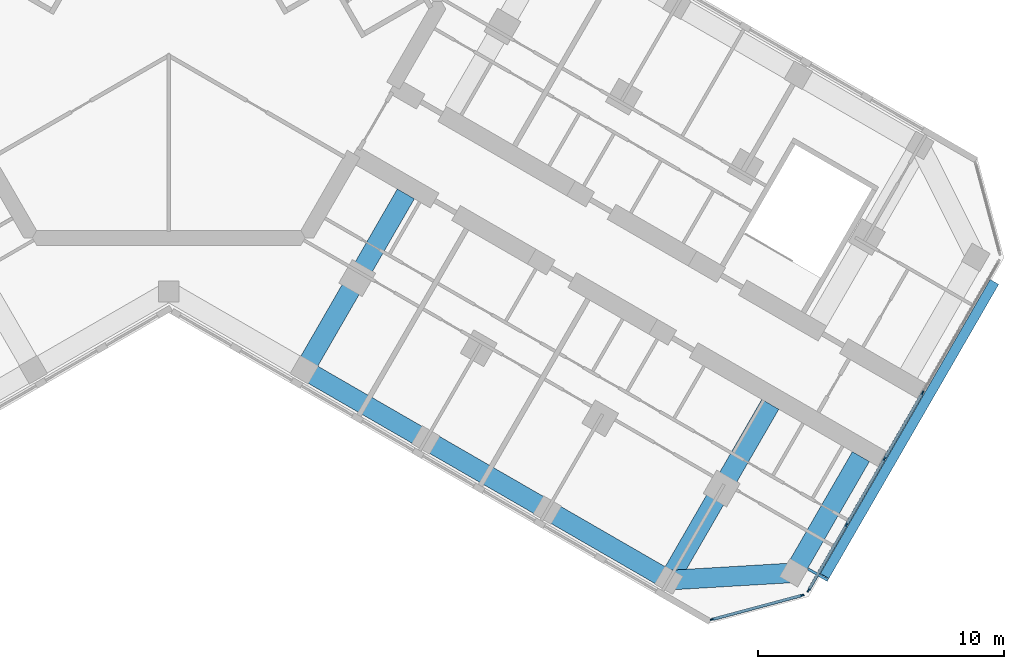
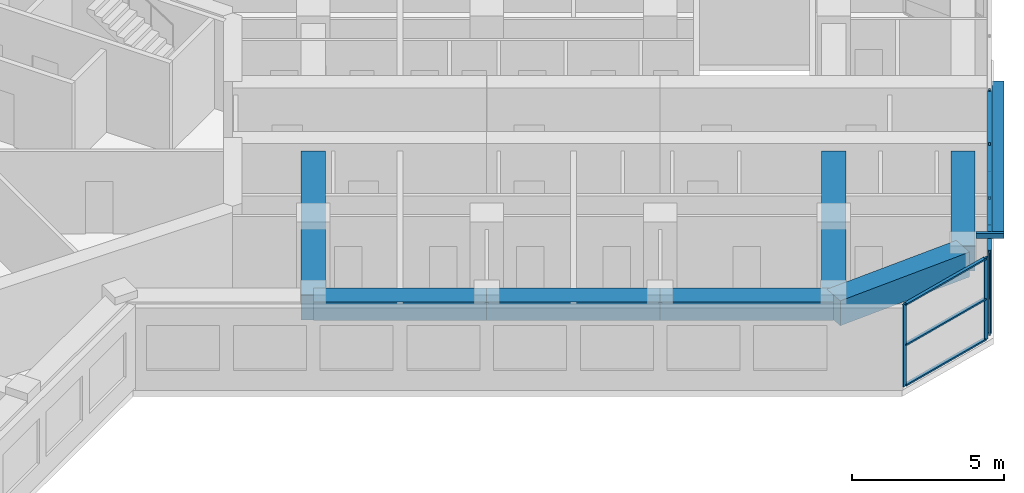
# One storey, part 4 of 16: 17 members, 7 beams, 2 elements without a shape of their own.
"""IFC4 building model written with IfcOpenShell, lengths in metres."""

import ifcopenshell
import ifcopenshell.guid

model = None  # the IFC model being written
_history = None  # IfcOwnerHistory: only IFC2X3 demands one
_inside = {}  # id of a spatial element -> (the spatial element, [elements in it])
_under = {}  # id of a project, library or spatial element -> (it, [spatial elements below it])
_declared = {}  # id of a project -> (the project, [libraries it declares])
_typed = {}  # id of a type object -> (the type object, [elements of that type])
_made_of = {}  # id of a material, layer set ... -> (it, [elements and type objects made of it])


def new_model(schema):
    """Start an empty IFC model of exactly this schema.

    Asked for "IFC4X3", IfcOpenShell would pick the latest addendum, in which some entities
    have other attributes; the version numbers below select the first issue.
    IFC2X3 requires an IfcOwnerHistory on every rooted entity: one is made here for all.
    """
    global model, _history
    if schema == "IFC4X3":
        model = ifcopenshell.file(schema_version=(4, 3, 0, 0))
    else:
        model = ifcopenshell.file(schema=schema)
    _inside.clear()
    _under.clear()
    _declared.clear()
    _typed.clear()
    _made_of.clear()
    _history = None
    if model.schema == "IFC2X3":
        org = make("IfcOrganization", Name="unknown")
        user = make(
            "IfcPersonAndOrganization",
            ThePerson=make("IfcPerson", FamilyName="unknown"),
            TheOrganization=org,
        )
        app = make(
            "IfcApplication",
            ApplicationDeveloper=org,
            Version="unknown",
            ApplicationFullName="unknown",
            ApplicationIdentifier="unknown",
        )
        _history = make(
            "IfcOwnerHistory",
            OwningUser=user,
            OwningApplication=app,
            ChangeAction="ADDED",
            CreationDate=0,
        )
    return model


def make(cls, **values):
    """One entity of the class cls with the attributes given. An attribute that is None is left unset."""
    return model.create_entity(
        cls, **{name: value for name, value in values.items() if value is not None}
    )


def rooted(cls, **values):
    """An entity with a GlobalId (a new one), such as an element, a storey or a relation."""
    return make(cls, GlobalId=ifcopenshell.guid.new(), OwnerHistory=_history, **values)


def si_unit(unit_type, name, prefix=None):
    """IfcSIUnit, for example si_unit("LENGTHUNIT", "METRE", prefix="MILLI")."""
    return make("IfcSIUnit", UnitType=unit_type, Prefix=prefix, Name=name)


def assignment(units):
    """IfcUnitAssignment: the units of a project."""
    return None if units is None else make("IfcUnitAssignment", Units=units)


def point(xyz):
    """IfcCartesianPoint."""
    return None if xyz is None else make("IfcCartesianPoint", Coordinates=xyz)


def direction(xyz):
    """IfcDirection."""
    return None if xyz is None else make("IfcDirection", DirectionRatios=xyz)


def frame(location, z_axis=None, x_axis=None):
    """IfcAxis2Placement3D, a coordinate frame: its origin and axes. An axis left out is left unset."""
    return make(
        "IfcAxis2Placement3D",
        Location=point(location),
        Axis=direction(z_axis),
        RefDirection=direction(x_axis),
    )


def frame_2d(location, x_axis=None):
    """IfcAxis2Placement2D, a coordinate frame in the plane: its origin and x axis."""
    return make(
        "IfcAxis2Placement2D", Location=point(location), RefDirection=direction(x_axis)
    )


def origin():
    """The frame at (0, 0, 0) with its axes left unset."""
    return frame((0.0, 0.0, 0.0))


def origin_2d():
    """The frame at (0, 0) in the plane with its x axis left unset."""
    return frame_2d((0.0, 0.0))


def place(relative_to, where):
    """IfcLocalPlacement: puts the frame where relative to a parent placement (None: the world)."""
    return make(
        "IfcLocalPlacement", PlacementRelTo=relative_to, RelativePlacement=where
    )


def context(
    kind, dimensions, precision=None, world=None, true_north=None, identifier=None
):
    """IfcGeometricRepresentationContext, for example the 3D "Model" context."""
    return make(
        "IfcGeometricRepresentationContext",
        ContextIdentifier=identifier,
        ContextType=kind,
        CoordinateSpaceDimension=dimensions,
        Precision=precision,
        WorldCoordinateSystem=world,
        TrueNorth=true_north,
    )


def subcontext(parent, identifier, kind, view, scale=None):
    """IfcGeometricRepresentationSubContext, for example "Body" below "Model"."""
    return make(
        "IfcGeometricRepresentationSubContext",
        ContextIdentifier=identifier,
        ContextType=kind,
        ParentContext=parent,
        TargetScale=scale,
        TargetView=view,
    )


def project(units=None, contexts=None):
    """IfcProject with its units and contexts."""
    return rooted(
        "IfcProject",
        Name="project",
        RepresentationContexts=contexts,
        UnitsInContext=assignment(units),
    )


def spatial(cls, under=None, at=None, **own):
    """A site, building, storey or space (cls), placed at a placement, below another one or the project."""
    s = rooted(cls, ObjectPlacement=at, **own)
    if under is not None:
        _under.setdefault(under.id(), (under, []))[1].append(s)
    return s


def profile(cls, at=None, kind="AREA", **sizes):
    """A parametric profile (cls). Its sizes go by their IFC names, for example OverallWidth=200.0."""
    return make(cls, ProfileType=kind, Position=at, **sizes)


def rectangle(**sizes):
    """IfcRectangleProfileDef."""
    return profile("IfcRectangleProfileDef", **sizes)


def hollow_rectangle(**sizes):
    """IfcRectangleHollowProfileDef."""
    return profile("IfcRectangleHollowProfileDef", **sizes)


def extrude(swept, where, along, depth):
    """IfcExtrudedAreaSolid: the profile swept, set in the frame where, extruded along a direction by depth."""
    return make(
        "IfcExtrudedAreaSolid",
        SweptArea=swept,
        Position=where,
        ExtrudedDirection=direction(along),
        Depth=depth,
    )


def shape(context_of_items, identifier, shape_type, items):
    """IfcShapeRepresentation: the items that make up one representation, for example the "Body"."""
    return make(
        "IfcShapeRepresentation",
        ContextOfItems=context_of_items,
        RepresentationIdentifier=identifier,
        RepresentationType=shape_type,
        Items=items,
    )


def material(Name=None, Category=None):
    """IfcMaterial."""
    return make("IfcMaterial", Name=Name, Category=Category)


def material_profile(
    of_material, cross_section, Name=None, Category=None, Priority=None
):
    """IfcMaterialProfile: a cross section and its material."""
    return make(
        "IfcMaterialProfile",
        Name=Name,
        Material=of_material,
        Profile=cross_section,
        Priority=Priority,
        Category=Category,
    )


def profile_set(profiles, Name=None, composite=None):
    """IfcMaterialProfileSet."""
    return make(
        "IfcMaterialProfileSet",
        Name=Name,
        MaterialProfiles=profiles,
        CompositeProfile=composite,
    )


def made_of(thing, what):
    """Note that an element or type object is made of a material, layer set ...; save() writes the relation."""
    if what is not None:
        _made_of.setdefault(what.id(), (what, []))[1].append(thing)
    return thing


def type_object(cls, material=None, **own):
    """A type object (cls), such as IfcWallType, which elements share."""
    return made_of(rooted(cls, **own), material)


def element(
    cls,
    number,
    at=None,
    inside=None,
    cuts=None,
    type_object=None,
    material=None,
    context=None,
    identifier="Body",
    shape_type=None,
    held_by="IfcProductDefinitionShape",
    body=None,
    shapes=None,
    **own,
):
    """One element of the class cls, such as IfcWall. Its Tag is "e" and its number.

    at: its placement. inside: the storey or other place that contains it. cuts: it is an
    opening in that element (IfcRelVoidsElement). A single representation is given by context,
    identifier, shape_type and body (its items); several are given by shapes. held_by: the class
    of the entity that holds the representations. save() writes the other relations.
    """
    e = rooted(cls, Tag="e%d" % number, ObjectPlacement=at, **own)
    if body is not None:
        shapes = [shape(context, identifier, shape_type, body)]
    if shapes is not None:
        e.Representation = make(held_by, Representations=shapes)
    if inside is not None:
        _inside.setdefault(inside.id(), (inside, []))[1].append(e)
    if cuts is not None:
        rooted(
            "IfcRelVoidsElement", RelatingBuildingElement=cuts, RelatedOpeningElement=e
        )
    if type_object is not None:
        _typed.setdefault(type_object.id(), (type_object, []))[1].append(e)
    return made_of(e, material)


def aggregate(whole, parts):
    """IfcRelAggregates: a whole, such as a stair, and the parts it consists of."""
    return rooted("IfcRelAggregates", RelatingObject=whole, RelatedObjects=parts)


def save(model, path):
    """Write the relations noted so far, then the file.

    IfcRelAggregates (storeys below a building ...), IfcRelContainedInSpatialStructure (elements
    in a storey), IfcRelDefinesByType, IfcRelAssociatesMaterial and IfcRelDeclares: one each for
    every whole, place, type object, material and project.
    """
    for whole, parts in _under.values():
        aggregate(whole, parts)
    for where, things in _inside.values():
        rooted(
            "IfcRelContainedInSpatialStructure",
            RelatedElements=things,
            RelatingStructure=where,
        )
    for kind, things in _typed.values():
        rooted("IfcRelDefinesByType", RelatedObjects=things, RelatingType=kind)
    for what, things in _made_of.values():
        rooted("IfcRelAssociatesMaterial", RelatedObjects=things, RelatingMaterial=what)
    for by, libraries in _declared.values():
        rooted("IfcRelDeclares", RelatingContext=by, RelatedDefinitions=libraries)
    model.write(path)


model = new_model("IFC4")

# Units and contexts
model_context = context("Model", 3, precision=1e-05, world=origin(), true_north=direction((0.0, 1.0)))
body_context = subcontext(model_context, "Body", "Model", "MODEL_VIEW")
ifc_project = project(units=[si_unit("LENGTHUNIT", "METRE"), si_unit("AREAUNIT", "SQUARE_METRE"), si_unit("VOLUMEUNIT", "CUBIC_METRE"), si_unit("PLANEANGLEUNIT", "RADIAN"), si_unit("MASSUNIT", "GRAM", prefix="KILO")], contexts=[model_context])

# Site, building, storey
site_placement = place(None, origin())
site = spatial("IfcSite", under=ifc_project, at=site_placement, CompositionType="ELEMENT")
building_placement = place(site_placement, origin())
building = spatial("IfcBuilding", under=site, at=building_placement, Name="Kosmar Iwan School Tower", CompositionType="ELEMENT")
storey_placement = place(building_placement, frame((0.0, 0.0, 256.800048828125)))
storey = spatial("IfcBuildingStorey", under=building, at=storey_placement, Name="L65", CompositionType="ELEMENT", Elevation=256.800048828125)

# Beams
ifc_material_1 = material(Name="Concrete C50/60", Category="concrete")
ifc_material_profile_1 = material_profile(ifc_material_1, rectangle(XDim=0.800048828125, YDim=0.75, at=origin_2d()), Name="RC 800x750 + HD 400x634")
ifc_profile_set_1 = profile_set([ifc_material_profile_1], Name="Concrete C50/60")
beam_type_1 = type_object("IfcBeamType", Name="Composite edge beam 800x750 HD 400x634", PredefinedType="BEAM", material=ifc_profile_set_1)
beam_1_placement = place(storey_placement, frame((5.5087890625, -14.95849609375, 2.925048828125), z_axis=(0.866033658841, -0.49998570155, 0.0), x_axis=(0.49998570155, 0.866033658841, 0.0)))
element("IfcBeam", 1, at=beam_1_placement, inside=storey, type_object=beam_type_1, Name="Edge beam CR2", PredefinedType="BEAM", context=body_context, shape_type="SweptSolid", body=[
    extrude(rectangle(XDim=0.800048828125, YDim=0.75, at=origin_2d()), origin(), (0.0, 0.0, 1.0), 5.699951171875),
])
beam_2_placement = place(storey_placement, frame((10.445068359375, -17.808349609375, 2.925048828125), z_axis=(0.866025820012, -0.499999279071, 0.0), x_axis=(0.499999279071, 0.866025820012, 0.0)))
element("IfcBeam", 2, at=beam_2_placement, inside=storey, type_object=beam_type_1, Name="Edge beam CR3", PredefinedType="BEAM", context=body_context, shape_type="SweptSolid", body=[
    extrude(rectangle(XDim=0.800048828125, YDim=0.75, at=origin_2d()), origin(), (0.0, 0.0, 1.0), 5.7001953125),
])
beam_3_placement = place(storey_placement, frame((15.381591796875, -20.658447265625, 2.925048828125), z_axis=(0.866015111908, -0.50001782563, 0.0), x_axis=(0.50001782563, 0.866015111908, 0.0)))
element("IfcBeam", 3, at=beam_3_placement, inside=storey, type_object=beam_type_1, Name="Edge beam CR4", PredefinedType="BEAM", context=body_context, shape_type="SweptSolid", body=[
    extrude(rectangle(XDim=0.800048828125, YDim=0.75, at=origin_2d()), origin(), (0.0, 0.0, 1.0), 5.699951171875),
])
ifc_material_2 = material(Name="Concrete C50/60", Category="concrete")
ifc_material_profile_2 = material_profile(ifc_material_2, rectangle(XDim=0.800048828125, YDim=1.0, at=origin_2d()), Name="RC 800x1000 + HD 400x347")
ifc_profile_set_2 = profile_set([ifc_material_profile_2], Name="Concrete C50/60")
beam_type_2 = type_object("IfcBeamType", Name="Composite tip beam 800x1000 HD 400x347", PredefinedType="BEAM", material=ifc_profile_set_2)
beam_4_placement = place(storey_placement, frame((20.31787109375, -23.508544921875, 2.800048828125), z_axis=(0.998260616478, 0.058955420358, 0.0), x_axis=(-0.058955420358, 0.998260616478, 0.0)))
element("IfcBeam", 4, at=beam_4_placement, inside=storey, type_object=beam_type_2, Name="Tip beam CR", PredefinedType="BEAM", context=body_context, shape_type="SweptSolid", body=[
    extrude(rectangle(XDim=0.800048828125, YDim=1.0, at=origin_2d()), origin(), (0.0, 0.0, 1.0), 5.08935546875),
])
beam_5_placement = place(storey_placement, frame((25.3984375, -23.20849609375, 2.800048828125), z_axis=(0.500022328685, 0.866012511928, 0.0), x_axis=(-0.866012511928, 0.500022328685, 0.0)))
element("IfcBeam", 5, at=beam_5_placement, inside=storey, type_object=beam_type_2, Name="Tip beam CR to corridor wall", PredefinedType="BEAM", context=body_context, shape_type="SweptSolid", body=[
    extrude(rectangle(XDim=0.800048828125, YDim=1.0, at=origin_2d()), origin(), (0.0, 0.0, 1.0), 5.449951171875),
])
ifc_material_3 = material(Name="Concrete C50/60", Category="concrete")
ifc_material_profile_3 = material_profile(ifc_material_3, rectangle(XDim=0.800048828125, YDim=1.0, at=origin_2d()), Name="RC 800x1000 + HD 400x634")
ifc_profile_set_3 = profile_set([ifc_material_profile_3], Name="Concrete C50/60")
beam_type_3 = type_object("IfcBeamType", Name="Composite transverse beam 800x1000 HD 400x634", PredefinedType="BEAM", material=ifc_profile_set_3)
for number, where, z_axis, x_axis, name in (
    (6, (5.5087890625, -14.95849609375, 2.800048828125), (0.499996545922, 0.866027397988, 0.0), (-0.866027397988, 0.499996545922, 0.0), "Transverse beam CR1"),
    (7, (20.31787109375, -23.508544921875, 2.800048828125), (0.499996545922, 0.866027397988, 0.0), (-0.866027397988, 0.499996545922, 0.0), "Transverse beam CR4"),
):
    element("IfcBeam", number, at=place(storey_placement, frame(where, z_axis=z_axis, x_axis=x_axis)), inside=storey, type_object=beam_type_3, Name=name, PredefinedType="BEAM", context=body_context, shape_type="SweptSolid", body=[
        extrude(rectangle(XDim=0.800048828125, YDim=1.0, at=origin_2d()), origin(), (0.0, 0.0, 1.0), 8.25),
    ])

# Members
ifc_material_4 = material(Name="Black anodised aluminium", Category="aluminium")
ifc_material_profile_4 = material_profile(ifc_material_4, rectangle(XDim=0.10009765625, YDim=0.39990234375, at=origin_2d()), Name="FIN 100x400")
ifc_profile_set_4 = profile_set([ifc_material_profile_4], Name="Black anodised aluminium")
member_type_1 = type_object("IfcMemberType", Name="Diagonal fin 100x400", PredefinedType="USERDEFINED", material=ifc_profile_set_4)
member_1_placement = place(storey_placement, frame((33.54345703125, -11.40087890625, -0.150146484375), z_axis=(-0.484219792667, -0.838708782627, 0.249196248635), x_axis=(0.124596397335, 0.21581127891, 0.968453008497)))
element("IfcMember", 8, at=member_1_placement, inside=storey, type_object=member_type_1, Name="Diagonal fin L65-F01", ObjectType="FIN", PredefinedType="USERDEFINED", context=body_context, shape_type="SweptSolid", body=[
    extrude(rectangle(XDim=0.10009765625, YDim=0.39990234375, at=origin_2d()), origin(), (0.0, 0.0, 1.0), 14.24609375),
])
ifc_material_5 = material(Name="Steel S355", Category="steel")
ifc_material_profile_5 = material_profile(ifc_material_5, hollow_rectangle(XDim=0.10009765625, YDim=0.199951171875, WallThickness=0.008056640625, at=origin_2d()), Name="RHS 200x100x8")
ifc_profile_set_5 = profile_set([ifc_material_profile_5], Name="Steel S355")
member_type_2 = type_object("IfcMemberType", Name="Fin bracket RHS 200x100", PredefinedType="USERDEFINED", material=ifc_profile_set_5)
member_2_placement = place(storey_placement, frame((25.97900390625, -23.052978515625, 3.449951171875), z_axis=(0.865943820382, -0.500141279983, 0.0), x_axis=(0.500141279983, 0.865943820382, 0.0)))
element("IfcMember", 9, at=member_2_placement, inside=storey, type_object=member_type_2, Name="Fin bracket L66", ObjectType="FIN BRACKET", PredefinedType="USERDEFINED", context=body_context, shape_type="SweptSolid", body=[
    extrude(hollow_rectangle(XDim=0.10009765625, YDim=0.199951171875, WallThickness=0.008056640625, at=origin_2d()), origin(), (0.0, 0.0, 1.0), 0.925048828125),
])

# Curtain wall, members
ifc_material_6 = material(Name="Dark glass in black aluminium frame", Category="aluminium")
curtain_wall_type_1 = type_object("IfcCurtainWallType", Name="Chamfer curtain wall dark glass", PredefinedType="USERDEFINED", material=ifc_material_6)
curtain_wall_1_placement = place(storey_placement, origin())
curtain_wall_1 = element("IfcCurtainWall", 10, at=curtain_wall_1_placement, inside=storey, type_object=curtain_wall_type_1, Name="Curtain wall L65-F00", ObjectType="FACETED CURTAIN WALL", PredefinedType="USERDEFINED")
ifc_material_7 = material(Name="Black anodised aluminium", Category="aluminium")
ifc_material_profile_6 = material_profile(ifc_material_7, rectangle(XDim=0.06005859375, YDim=0.159912109375, at=origin_2d()), Name="MULLION 60x160")
ifc_profile_set_6 = profile_set([ifc_material_profile_6], Name="Black anodised aluminium")
member_type_3 = type_object("IfcMemberType", Name="Mullion 60x160", PredefinedType="MULLION", material=ifc_profile_set_6)
member_3_placement = place(storey_placement, frame((22.0830078125, -25.102294921875, 0.0), z_axis=(0.0, 0.0, 1.0), x_axis=(-0.258818861462, 0.965925875495, 0.0)))
member_3 = element("IfcMember", 11, at=member_3_placement, type_object=member_type_3, Name="CW2 mullion 1", PredefinedType="MULLION", context=body_context, shape_type="SweptSolid", body=[
    extrude(rectangle(XDim=0.06005859375, YDim=0.159912109375, at=origin_2d()), origin(), (0.0, 0.0, 1.0), 3.300048828125),
])
member_4_placement = place(storey_placement, frame((25.733154296875, -24.124267578125, 0.0), z_axis=(0.0, 0.0, 1.0), x_axis=(-0.258818861462, 0.965925875495, 0.0)))
member_4 = element("IfcMember", 12, at=member_4_placement, type_object=member_type_3, Name="CW2 mullion 2", PredefinedType="MULLION", context=body_context, shape_type="SweptSolid", body=[
    extrude(rectangle(XDim=0.06005859375, YDim=0.159912109375, at=origin_2d()), origin(), (0.0, 0.0, 1.0), 3.300048828125),
])

ifc_material_8 = material(Name="Dark glass in black aluminium frame", Category="aluminium")
curtain_wall_type_2 = type_object("IfcCurtainWallType", Name="Tower curtain wall dark glass", PredefinedType="USERDEFINED", material=ifc_material_8)
curtain_wall_2_placement = place(storey_placement, origin())
curtain_wall_2 = element("IfcCurtainWall", 13, at=curtain_wall_2_placement, inside=storey, type_object=curtain_wall_type_2, Name="Curtain wall L65-F01", ObjectType="UNITISED CURTAIN WALL", PredefinedType="USERDEFINED")
member_5_placement = place(storey_placement, frame((25.9970703125, -23.921630859375, 0.0), z_axis=(0.0, 0.0, 1.0), x_axis=(-0.866025405329, 0.499999997325, 0.0)))
member_5 = element("IfcMember", 14, at=member_5_placement, type_object=member_type_3, Name="CW1 mullion 1", PredefinedType="MULLION", context=body_context, shape_type="SweptSolid", body=[
    extrude(rectangle(XDim=0.06005859375, YDim=0.159912109375, at=origin_2d()), origin(), (0.0, 0.0, 1.0), 3.300048828125),
])
member_6_placement = place(storey_placement, frame((27.53173828125, -21.263671875, 0.0), z_axis=(0.0, 0.0, 1.0), x_axis=(-0.866025405329, 0.499999997325, 0.0)))
member_6 = element("IfcMember", 15, at=member_6_placement, type_object=member_type_3, Name="CW1 mullion 2", PredefinedType="MULLION", context=body_context, shape_type="SweptSolid", body=[
    extrude(rectangle(XDim=0.06005859375, YDim=0.159912109375, at=origin_2d()), origin(), (0.0, 0.0, 1.0), 3.300048828125),
])
member_7_placement = place(storey_placement, frame((29.081298828125, -18.57958984375, 0.0), z_axis=(0.0, 0.0, 1.0), x_axis=(-0.866025405329, 0.499999997325, 0.0)))
member_7 = element("IfcMember", 16, at=member_7_placement, type_object=member_type_3, Name="CW1 mullion 3", PredefinedType="MULLION", context=body_context, shape_type="SweptSolid", body=[
    extrude(rectangle(XDim=0.06005859375, YDim=0.159912109375, at=origin_2d()), origin(), (0.0, 0.0, 1.0), 3.300048828125),
])
member_8_placement = place(storey_placement, frame((30.631103515625, -15.8955078125, 0.0), z_axis=(0.0, 0.0, 1.0), x_axis=(-0.866025405329, 0.499999997325, 0.0)))
member_8 = element("IfcMember", 17, at=member_8_placement, type_object=member_type_3, Name="CW1 mullion 4", PredefinedType="MULLION", context=body_context, shape_type="SweptSolid", body=[
    extrude(rectangle(XDim=0.06005859375, YDim=0.159912109375, at=origin_2d()), origin(), (0.0, 0.0, 1.0), 3.300048828125),
])

# Member
ifc_material_9 = material(Name="Black anodised aluminium", Category="aluminium")
ifc_material_profile_7 = material_profile(ifc_material_9, rectangle(XDim=0.1201171875, YDim=0.06005859375, at=origin_2d()), Name="TRANSOM 60x120")
ifc_profile_set_7 = profile_set([ifc_material_profile_7], Name="Black anodised aluminium")
member_type_4 = type_object("IfcMemberType", Name="Transom 60x120", PredefinedType="USERDEFINED", material=ifc_profile_set_7)
member_9_placement = place(storey_placement, frame((22.11181640625, -25.094482421875, 0.030029296875), z_axis=(0.965923731726, 0.258826861991, 0.0), x_axis=(-0.258826861991, 0.965923731726, 0.0)))
member_9 = element("IfcMember", 18, at=member_9_placement, type_object=member_type_4, Name="CW2 transom 1.1", ObjectType="TRANSOM", PredefinedType="USERDEFINED", context=body_context, shape_type="SweptSolid", body=[
    extrude(rectangle(XDim=0.1201171875, YDim=0.06005859375, at=origin_2d()), origin(), (0.0, 0.0, 1.0), 3.71923828125),
])

member_10_placement = place(storey_placement, frame((22.11181640625, -25.094482421875, 1.64990234375), z_axis=(0.965923731726, 0.258826861991, 0.0), x_axis=(-0.258826861991, 0.965923731726, 0.0)))
member_10 = element("IfcMember", 19, at=member_10_placement, type_object=member_type_4, Name="CW2 transom 1.2", ObjectType="TRANSOM", PredefinedType="USERDEFINED", context=body_context, shape_type="SweptSolid", body=[
    extrude(rectangle(XDim=0.1201171875, YDim=0.06005859375, at=origin_2d()), origin(), (0.0, 0.0, 1.0), 3.71923828125),
])

member_11_placement = place(storey_placement, frame((22.11181640625, -25.094482421875, 3.27001953125), z_axis=(0.965923731726, 0.258826861991, 0.0), x_axis=(-0.258826861991, 0.965923731726, 0.0)))
member_11 = element("IfcMember", 20, at=member_11_placement, type_object=member_type_4, Name="CW2 transom 1.3", ObjectType="TRANSOM", PredefinedType="USERDEFINED", context=body_context, shape_type="SweptSolid", body=[
    extrude(rectangle(XDim=0.1201171875, YDim=0.06005859375, at=origin_2d()), origin(), (0.0, 0.0, 1.0), 3.71923828125),
])

aggregate(curtain_wall_1, [member_3, member_4, member_9, member_10, member_11])

member_12_placement = place(storey_placement, frame((26.01220703125, -23.895751953125, 0.030029296875), z_axis=(0.499986971506, 0.866032925658, 0.0), x_axis=(-0.866032925658, 0.499986971506, 0.0)))
member_12 = element("IfcMember", 21, at=member_12_placement, type_object=member_type_4, Name="CW1 transom 1.1", ObjectType="TRANSOM", PredefinedType="USERDEFINED", context=body_context, shape_type="SweptSolid", body=[
    extrude(rectangle(XDim=0.1201171875, YDim=0.06005859375, at=origin_2d()), origin(), (0.0, 0.0, 1.0), 3.00927734375),
])

member_13_placement = place(storey_placement, frame((26.01220703125, -23.895751953125, 3.27001953125), z_axis=(0.499986971506, 0.866032925658, 0.0), x_axis=(-0.866032925658, 0.499986971506, 0.0)))
member_13 = element("IfcMember", 22, at=member_13_placement, type_object=member_type_4, Name="CW1 transom 1.2", ObjectType="TRANSOM", PredefinedType="USERDEFINED", context=body_context, shape_type="SweptSolid", body=[
    extrude(rectangle(XDim=0.1201171875, YDim=0.06005859375, at=origin_2d()), origin(), (0.0, 0.0, 1.0), 3.00927734375),
])

member_14_placement = place(storey_placement, frame((27.546875, -21.237548828125, 0.030029296875), z_axis=(0.499975102327, 0.866039777986, 0.0), x_axis=(-0.866039777986, 0.499975102327, 0.0)))
member_14 = element("IfcMember", 23, at=member_14_placement, type_object=member_type_4, Name="CW1 transom 2.1", ObjectType="TRANSOM", PredefinedType="USERDEFINED", context=body_context, shape_type="SweptSolid", body=[
    extrude(rectangle(XDim=0.1201171875, YDim=0.06005859375, at=origin_2d()), origin(), (0.0, 0.0, 1.0), 3.039306640625),
])

member_15_placement = place(storey_placement, frame((27.546875, -21.237548828125, 3.27001953125), z_axis=(0.499975102327, 0.866039777986, 0.0), x_axis=(-0.866039777986, 0.499975102327, 0.0)))
member_15 = element("IfcMember", 24, at=member_15_placement, type_object=member_type_4, Name="CW1 transom 2.2", ObjectType="TRANSOM", PredefinedType="USERDEFINED", context=body_context, shape_type="SweptSolid", body=[
    extrude(rectangle(XDim=0.1201171875, YDim=0.06005859375, at=origin_2d()), origin(), (0.0, 0.0, 1.0), 3.039306640625),
])

member_16_placement = place(storey_placement, frame((29.096435546875, -18.553466796875, 0.030029296875), z_axis=(0.499975102327, 0.866039777986, 0.0), x_axis=(-0.866039777986, 0.499975102327, 0.0)))
member_16 = element("IfcMember", 25, at=member_16_placement, type_object=member_type_4, Name="CW1 transom 3.1", ObjectType="TRANSOM", PredefinedType="USERDEFINED", context=body_context, shape_type="SweptSolid", body=[
    extrude(rectangle(XDim=0.1201171875, YDim=0.06005859375, at=origin_2d()), origin(), (0.0, 0.0, 1.0), 3.039306640625),
])

member_17_placement = place(storey_placement, frame((29.096435546875, -18.553466796875, 3.27001953125), z_axis=(0.499975102327, 0.866039777986, 0.0), x_axis=(-0.866039777986, 0.499975102327, 0.0)))
member_17 = element("IfcMember", 26, at=member_17_placement, type_object=member_type_4, Name="CW1 transom 3.2", ObjectType="TRANSOM", PredefinedType="USERDEFINED", context=body_context, shape_type="SweptSolid", body=[
    extrude(rectangle(XDim=0.1201171875, YDim=0.06005859375, at=origin_2d()), origin(), (0.0, 0.0, 1.0), 3.039306640625),
])

aggregate(curtain_wall_2, [member_5, member_6, member_7, member_8, member_12, member_13, member_14, member_15, member_16, member_17])

save(model, "model.ifc")
